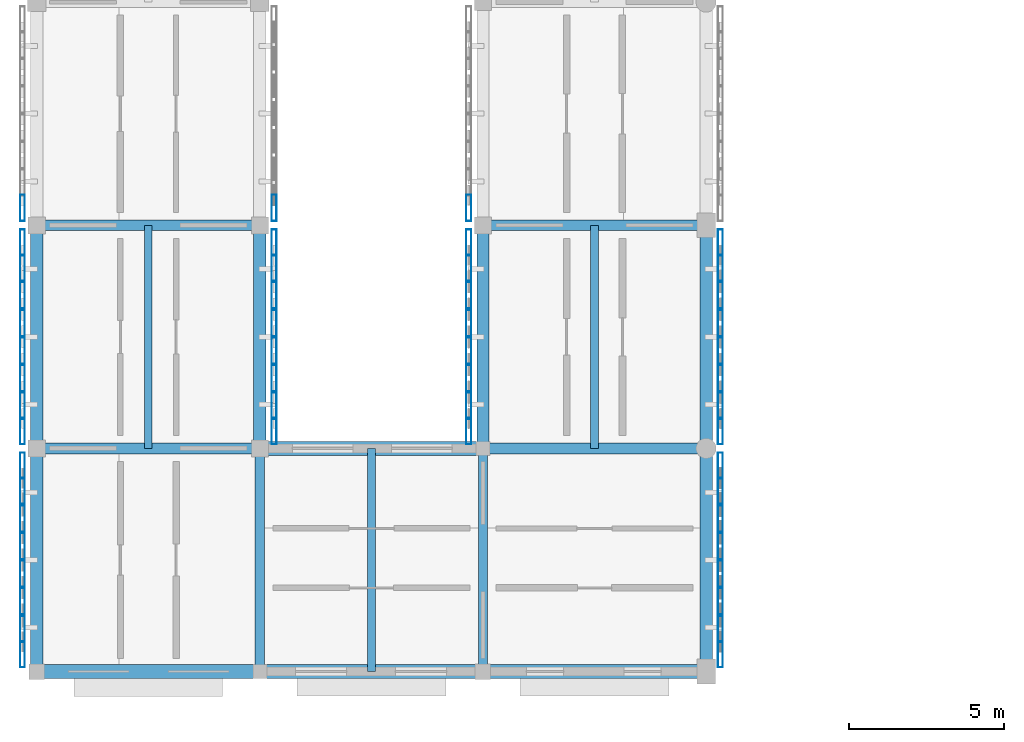
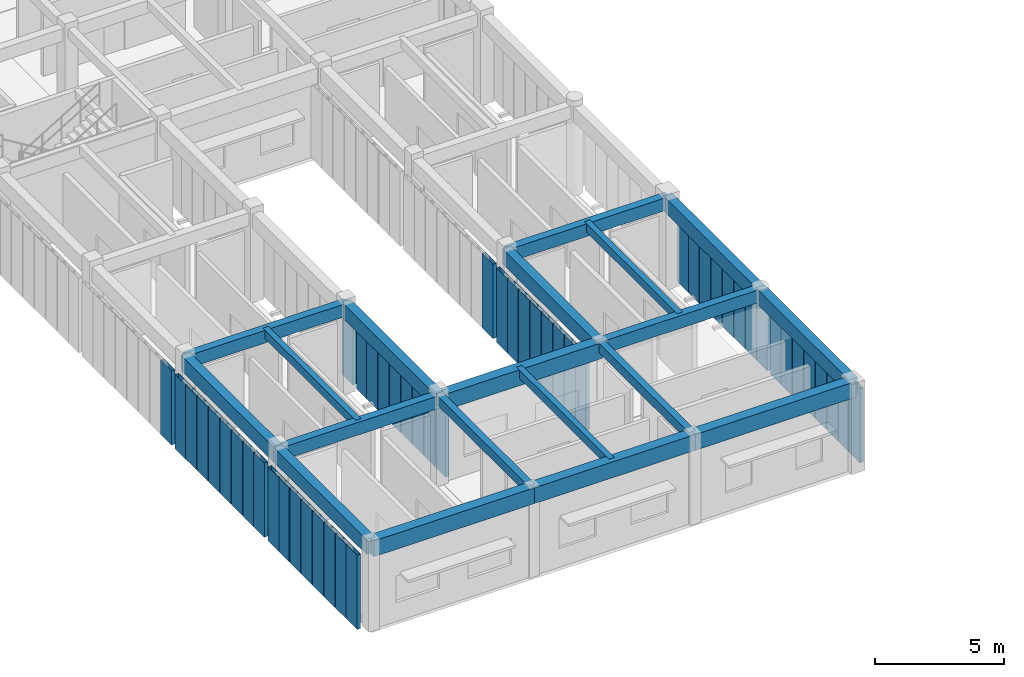
# One storey, part 7 of 171: 51 members, 19 beams, 9 elements without a shape of their own.
"""IFC4 building model written with IfcOpenShell, lengths in metres."""

from ifc_helpers import new_model, si_unit, direction, frame, origin, origin_2d, place, context, subcontext, project, spatial, rectangle, hollow_rectangle, extrude, material, material_profile, profile_set, type_object, element, aggregate, save


model = new_model("IFC4")

# Units and contexts
model_context = context("Model", 3, precision=1e-05, world=origin(), true_north=direction((0.0, 1.0)))
body_context = subcontext(model_context, "Body", "Model", "MODEL_VIEW")
ifc_project = project(units=[si_unit("LENGTHUNIT", "METRE"), si_unit("AREAUNIT", "SQUARE_METRE"), si_unit("VOLUMEUNIT", "CUBIC_METRE"), si_unit("PLANEANGLEUNIT", "RADIAN"), si_unit("MASSUNIT", "GRAM", prefix="KILO")], contexts=[model_context])

# Site, building, storey
site_placement = place(None, origin())
site = spatial("IfcSite", under=ifc_project, at=site_placement, CompositionType="ELEMENT")
building_placement = place(site_placement, origin())
building = spatial("IfcBuilding", under=site, at=building_placement, Name="Aldebral Square Health Centre", CompositionType="ELEMENT")
storey_placement = place(building_placement, frame((0.0, 0.0, 4.5)))
storey = spatial("IfcBuildingStorey", under=building, at=storey_placement, Name="L01", CompositionType="ELEMENT", Elevation=4.5)

# Beams
ifc_material_1 = material(Name="Concrete C40/50", Category="concrete")
ifc_material_profile_1 = material_profile(ifc_material_1, rectangle(XDim=0.35009765625, YDim=0.60009765625, at=origin_2d()), Name="RC 350x600")
ifc_profile_set_1 = profile_set([ifc_material_profile_1], Name="Concrete C40/50")
beam_type_1 = type_object("IfcBeamType", Name="BM-B2", PredefinedType="BEAM", material=ifc_profile_set_1)
for number, where, z_axis, x_axis, name in (
    (1, (0.0, 7.199951171875, 3.919921875), (1.0, 0.0, 0.0), (0.0, 1.0, 0.0), "L01 X-beam 1-2/G2"),
    (2, (0.0, 14.39990234375, 3.919921875), (1.0, 0.0, 0.0), (0.0, 1.0, 0.0), "L01 X-beam 1-2/G3"),
):
    element("IfcBeam", number, at=place(storey_placement, frame(where, z_axis=z_axis, x_axis=x_axis)), inside=storey, type_object=beam_type_1, Name=name, PredefinedType="BEAM", context=body_context, shape_type="SweptSolid", body=[
        extrude(rectangle(XDim=0.35009765625, YDim=0.60009765625, at=origin_2d()), origin(), (0.0, 0.0, 1.0), 7.199951171875),
    ])
for number, where, z_axis, x_axis, name in (
    (3, (14.39990234375, 7.199951171875, 3.919921875), (1.0, 0.0, 0.0), (0.0, 1.0, 0.0), "L01 X-beam 3-4/G2"),
    (4, (14.39990234375, 14.39990234375, 3.919921875), (1.0, 0.0, 0.0), (0.0, 1.0, 0.0), "L01 X-beam 3-4/G3"),
):
    element("IfcBeam", number, at=place(storey_placement, frame(where, z_axis=z_axis, x_axis=x_axis)), inside=storey, type_object=beam_type_1, Name=name, PredefinedType="BEAM", context=body_context, shape_type="SweptSolid", body=[
        extrude(rectangle(XDim=0.35009765625, YDim=0.60009765625, at=origin_2d()), origin(), (0.0, 0.0, 1.0), 7.2001953125),
    ])
ifc_material_profile_2 = material_profile(ifc_material_1, rectangle(XDim=0.300048828125, YDim=0.449951171875, at=origin_2d()), Name="RC 300x450")
ifc_profile_set_2 = profile_set([ifc_material_profile_2], Name="Concrete C40/50")
beam_type_2 = type_object("IfcBeamType", Name="BM-B5", PredefinedType="BEAM", material=ifc_profile_set_2)
for number, where, z_axis, x_axis, name in (
    (5, (7.199951171875, 0.0, 3.9951171875), (0.0, 1.0, 0.0), (-1.0, 0.0, 0.0), "L01 Y-beam G2/1-2"),
    (6, (14.39990234375, 0.0, 3.9951171875), (0.0, 1.0, 0.0), (-1.0, 0.0, 0.0), "L01 Y-beam G3/1-2"),
):
    element("IfcBeam", number, at=place(storey_placement, frame(where, z_axis=z_axis, x_axis=x_axis)), inside=storey, type_object=beam_type_2, Name=name, PredefinedType="BEAM", context=body_context, shape_type="SweptSolid", body=[
        extrude(rectangle(XDim=0.300048828125, YDim=0.449951171875, at=origin_2d()), origin(), (0.0, 0.0, 1.0), 7.199951171875),
    ])
ifc_material_profile_3 = material_profile(ifc_material_1, rectangle(XDim=0.25, YDim=0.39990234375, at=origin_2d()), Name="RC 250x400")
ifc_profile_set_3 = profile_set([ifc_material_profile_3], Name="Concrete C40/50")
beam_type_3 = type_object("IfcBeamType", Name="BM-B6", PredefinedType="JOIST", material=ifc_profile_set_3)
for number, where, z_axis, x_axis, name in (
    (7, (3.60009765625, 7.199951171875, 4.02001953125), (0.0, 1.0, 0.0), (-1.0, 0.0, 0.0), "L01 secondary rib 1.2"),
    (8, (10.800048828125, 0.0, 4.02001953125), (0.0, 1.0, 0.0), (-1.0, 0.0, 0.0), "L01 secondary rib 2.1"),
    (9, (18.0, 7.199951171875, 4.02001953125), (0.0, 1.0, 0.0), (-1.0, 0.0, 0.0), "L01 secondary rib 3.2"),
):
    element("IfcBeam", number, at=place(storey_placement, frame(where, z_axis=z_axis, x_axis=x_axis)), inside=storey, type_object=beam_type_3, Name=name, PredefinedType="JOIST", context=body_context, shape_type="SweptSolid", body=[
        extrude(rectangle(XDim=0.25, YDim=0.39990234375, at=origin_2d()), origin(), (0.0, 0.0, 1.0), 7.199951171875),
    ])
ifc_material_profile_4 = material_profile(ifc_material_1, rectangle(XDim=0.449951171875, YDim=0.75, at=origin_2d()), Name="RC 450x750")
ifc_profile_set_4 = profile_set([ifc_material_profile_4], Name="Concrete C40/50")
beam_type_4 = type_object("IfcBeamType", Name="BM-G2", PredefinedType="T_BEAM", material=ifc_profile_set_4)
for number, where, z_axis, x_axis, name in (
    (10, (0.0, 0.0, 3.844970703125), (1.0, 0.0, 0.0), (0.0, 1.0, 0.0), "L01 X-beam 1-2/G1"),
    (11, (7.199951171875, 0.0, 3.844970703125), (1.0, 0.0, 0.0), (0.0, 1.0, 0.0), "L01 X-beam 2-3/G1"),
    (12, (7.199951171875, 7.199951171875, 3.844970703125), (1.0, 0.0, 0.0), (0.0, 1.0, 0.0), "L01 X-beam 2-3/G2"),
):
    element("IfcBeam", number, at=place(storey_placement, frame(where, z_axis=z_axis, x_axis=x_axis)), inside=storey, type_object=beam_type_4, Name=name, PredefinedType="T_BEAM", context=body_context, shape_type="SweptSolid", body=[
        extrude(rectangle(XDim=0.449951171875, YDim=0.75, at=origin_2d()), origin(), (0.0, 0.0, 1.0), 7.199951171875),
    ])
beam_placement = place(storey_placement, frame((14.39990234375, 0.0, 3.844970703125), z_axis=(1.0, 0.0, 0.0), x_axis=(0.0, 1.0, 0.0)))
element("IfcBeam", 13, at=beam_placement, inside=storey, type_object=beam_type_4, Name="L01 X-beam 3-4/G1", PredefinedType="T_BEAM", context=body_context, shape_type="SweptSolid", body=[
    extrude(rectangle(XDim=0.449951171875, YDim=0.75, at=origin_2d()), origin(), (0.0, 0.0, 1.0), 7.2001953125),
])
ifc_material_profile_5 = material_profile(ifc_material_1, rectangle(XDim=0.39990234375, YDim=0.699951171875, at=origin_2d()), Name="RC 400x700")
ifc_profile_set_5 = profile_set([ifc_material_profile_5], Name="Concrete C40/50")
beam_type_5 = type_object("IfcBeamType", Name="BM-G3", PredefinedType="T_BEAM", material=ifc_profile_set_5)
for number, where, z_axis, x_axis, name in (
    (14, (0.0, 0.0, 3.8701171875), (0.0, 1.0, 0.0), (-1.0, 0.0, 0.0), "L01 Y-beam G1/1-2"),
    (15, (0.0, 7.199951171875, 3.8701171875), (0.0, 1.0, 0.0), (-1.0, 0.0, 0.0), "L01 Y-beam G1/2-3"),
    (16, (7.199951171875, 7.199951171875, 3.8701171875), (0.0, 1.0, 0.0), (-1.0, 0.0, 0.0), "L01 Y-beam G2/2-3"),
    (17, (14.39990234375, 7.199951171875, 3.8701171875), (0.0, 1.0, 0.0), (-1.0, 0.0, 0.0), "L01 Y-beam G3/2-3"),
    (18, (21.60009765625, 0.0, 3.8701171875), (0.0, 1.0, 0.0), (-1.0, 0.0, 0.0), "L01 Y-beam G4/1-2"),
    (19, (21.60009765625, 7.199951171875, 3.8701171875), (0.0, 1.0, 0.0), (-1.0, 0.0, 0.0), "L01 Y-beam G4/2-3"),
):
    element("IfcBeam", number, at=place(storey_placement, frame(where, z_axis=z_axis, x_axis=x_axis)), inside=storey, type_object=beam_type_5, Name=name, PredefinedType="T_BEAM", context=body_context, shape_type="SweptSolid", body=[
        extrude(rectangle(XDim=0.39990234375, YDim=0.699951171875, at=origin_2d()), origin(), (0.0, 0.0, 1.0), 7.199951171875),
    ])

# Curtain wall, members
ifc_material_2 = material(Name="Aluminium and low-E solar glass", Category="aluminium")
curtain_wall_type = type_object("IfcCurtainWallType", Name="CW-FIN-SYS", PredefinedType="USERDEFINED", material=ifc_material_2)
curtain_wall_1_placement = place(storey_placement, origin())
curtain_wall_1 = element("IfcCurtainWall", 20, at=curtain_wall_1_placement, inside=storey, type_object=curtain_wall_type, Name="L01 V6 finned curtain wall L01-V6-00-00-W", ObjectType="SOLAR_CURTAIN_WALL", PredefinedType="USERDEFINED")
ifc_material_3 = material(Name="Sienna-terracotta clad aluminium fin", Category="masonry")
ifc_material_profile_6 = material_profile(ifc_material_3, hollow_rectangle(XDim=0.159912109375, YDim=0.85009765625, WallThickness=0.006103515625, at=origin_2d()), Name="FIN 160x850x6")
ifc_profile_set_6 = profile_set([ifc_material_profile_6], Name="Sienna-terracotta clad aluminium fin")
member_type = type_object("IfcMemberType", Name="CWM-FIN", PredefinedType="MULLION", material=ifc_profile_set_6)
member_1_placement = place(storey_placement, frame((-0.4599609375, 6.639892578125, 0.0), z_axis=(0.0, 0.0, 1.0), x_axis=(1.0, 0.0, 0.0)))
member_1 = element("IfcMember", 21, at=member_1_placement, type_object=member_type, Name="CW1 mullion 1", PredefinedType="MULLION", context=body_context, shape_type="SweptSolid", body=[
    extrude(hollow_rectangle(XDim=0.159912109375, YDim=0.85009765625, WallThickness=0.006103515625, at=origin_2d()), origin(), (0.0, 0.0, 1.0), 3.52001953125),
])
member_2_placement = place(storey_placement, frame((-0.4599609375, 5.82861328125, 0.0), z_axis=(0.0, 0.0, 1.0), x_axis=(1.0, 0.0, 0.0)))
member_2 = element("IfcMember", 22, at=member_2_placement, type_object=member_type, Name="CW1 mullion 2", PredefinedType="MULLION", context=body_context, shape_type="SweptSolid", body=[
    extrude(hollow_rectangle(XDim=0.159912109375, YDim=0.85009765625, WallThickness=0.006103515625, at=origin_2d()), origin(), (0.0, 0.0, 1.0), 3.52001953125),
])
member_3_placement = place(storey_placement, frame((-0.4599609375, 4.937255859375, 0.0), z_axis=(0.0, 0.0, 1.0), x_axis=(1.0, 0.0, 0.0)))
member_3 = element("IfcMember", 23, at=member_3_placement, type_object=member_type, Name="CW1 mullion 3", PredefinedType="MULLION", context=body_context, shape_type="SweptSolid", body=[
    extrude(hollow_rectangle(XDim=0.159912109375, YDim=0.85009765625, WallThickness=0.006103515625, at=origin_2d()), origin(), (0.0, 0.0, 1.0), 3.52001953125),
])
member_4_placement = place(storey_placement, frame((-0.4599609375, 4.045654296875, 0.0), z_axis=(0.0, 0.0, 1.0), x_axis=(1.0, 0.0, 0.0)))
member_4 = element("IfcMember", 24, at=member_4_placement, type_object=member_type, Name="CW1 mullion 4", PredefinedType="MULLION", context=body_context, shape_type="SweptSolid", body=[
    extrude(hollow_rectangle(XDim=0.159912109375, YDim=0.85009765625, WallThickness=0.006103515625, at=origin_2d()), origin(), (0.0, 0.0, 1.0), 3.52001953125),
])
member_5_placement = place(storey_placement, frame((-0.4599609375, 3.154296875, 0.0), z_axis=(0.0, 0.0, 1.0), x_axis=(1.0, 0.0, 0.0)))
member_5 = element("IfcMember", 25, at=member_5_placement, type_object=member_type, Name="CW1 mullion 5", PredefinedType="MULLION", context=body_context, shape_type="SweptSolid", body=[
    extrude(hollow_rectangle(XDim=0.159912109375, YDim=0.85009765625, WallThickness=0.006103515625, at=origin_2d()), origin(), (0.0, 0.0, 1.0), 3.52001953125),
])
member_6_placement = place(storey_placement, frame((-0.4599609375, 2.262939453125, 0.0), z_axis=(0.0, 0.0, 1.0), x_axis=(1.0, 0.0, 0.0)))
member_6 = element("IfcMember", 26, at=member_6_placement, type_object=member_type, Name="CW1 mullion 6", PredefinedType="MULLION", context=body_context, shape_type="SweptSolid", body=[
    extrude(hollow_rectangle(XDim=0.159912109375, YDim=0.85009765625, WallThickness=0.006103515625, at=origin_2d()), origin(), (0.0, 0.0, 1.0), 3.52001953125),
])
member_7_placement = place(storey_placement, frame((-0.4599609375, 1.371337890625, 0.0), z_axis=(0.0, 0.0, 1.0), x_axis=(1.0, 0.0, 0.0)))
member_7 = element("IfcMember", 27, at=member_7_placement, type_object=member_type, Name="CW1 mullion 7", PredefinedType="MULLION", context=body_context, shape_type="SweptSolid", body=[
    extrude(hollow_rectangle(XDim=0.159912109375, YDim=0.85009765625, WallThickness=0.006103515625, at=origin_2d()), origin(), (0.0, 0.0, 1.0), 3.52001953125),
])
member_8_placement = place(storey_placement, frame((-0.4599609375, 0.56005859375, 0.0), z_axis=(0.0, 0.0, 1.0), x_axis=(1.0, 0.0, 0.0)))
member_8 = element("IfcMember", 28, at=member_8_placement, type_object=member_type, Name="CW1 mullion 8", PredefinedType="MULLION", context=body_context, shape_type="SweptSolid", body=[
    extrude(hollow_rectangle(XDim=0.159912109375, YDim=0.85009765625, WallThickness=0.006103515625, at=origin_2d()), origin(), (0.0, 0.0, 1.0), 3.52001953125),
])
aggregate(curtain_wall_1, [member_1, member_2, member_3, member_4, member_5, member_6, member_7, member_8])

curtain_wall_2_placement = place(storey_placement, origin())
curtain_wall_2 = element("IfcCurtainWall", 29, at=curtain_wall_2_placement, inside=storey, type_object=curtain_wall_type, Name="L01 V6 finned curtain wall L01-V6-00-01-W", ObjectType="SOLAR_CURTAIN_WALL", PredefinedType="USERDEFINED")
member_9_placement = place(storey_placement, frame((-0.4599609375, 13.840087890625, 0.0), z_axis=(0.0, 0.0, 1.0), x_axis=(1.0, 0.0, 0.0)))
member_9 = element("IfcMember", 30, at=member_9_placement, type_object=member_type, Name="CW1 mullion 1", PredefinedType="MULLION", context=body_context, shape_type="SweptSolid", body=[
    extrude(hollow_rectangle(XDim=0.159912109375, YDim=0.85009765625, WallThickness=0.006103515625, at=origin_2d()), origin(), (0.0, 0.0, 1.0), 3.52001953125),
])
member_10_placement = place(storey_placement, frame((-0.4599609375, 13.028564453125, 0.0), z_axis=(0.0, 0.0, 1.0), x_axis=(1.0, 0.0, 0.0)))
member_10 = element("IfcMember", 31, at=member_10_placement, type_object=member_type, Name="CW1 mullion 2", PredefinedType="MULLION", context=body_context, shape_type="SweptSolid", body=[
    extrude(hollow_rectangle(XDim=0.159912109375, YDim=0.85009765625, WallThickness=0.006103515625, at=origin_2d()), origin(), (0.0, 0.0, 1.0), 3.52001953125),
])
member_11_placement = place(storey_placement, frame((-0.4599609375, 12.13720703125, 0.0), z_axis=(0.0, 0.0, 1.0), x_axis=(1.0, 0.0, 0.0)))
member_11 = element("IfcMember", 32, at=member_11_placement, type_object=member_type, Name="CW1 mullion 3", PredefinedType="MULLION", context=body_context, shape_type="SweptSolid", body=[
    extrude(hollow_rectangle(XDim=0.159912109375, YDim=0.85009765625, WallThickness=0.006103515625, at=origin_2d()), origin(), (0.0, 0.0, 1.0), 3.52001953125),
])
member_12_placement = place(storey_placement, frame((-0.4599609375, 11.24560546875, 0.0), z_axis=(0.0, 0.0, 1.0), x_axis=(1.0, 0.0, 0.0)))
member_12 = element("IfcMember", 33, at=member_12_placement, type_object=member_type, Name="CW1 mullion 4", PredefinedType="MULLION", context=body_context, shape_type="SweptSolid", body=[
    extrude(hollow_rectangle(XDim=0.159912109375, YDim=0.85009765625, WallThickness=0.006103515625, at=origin_2d()), origin(), (0.0, 0.0, 1.0), 3.52001953125),
])
member_13_placement = place(storey_placement, frame((-0.4599609375, 10.354248046875, 0.0), z_axis=(0.0, 0.0, 1.0), x_axis=(1.0, 0.0, 0.0)))
member_13 = element("IfcMember", 34, at=member_13_placement, type_object=member_type, Name="CW1 mullion 5", PredefinedType="MULLION", context=body_context, shape_type="SweptSolid", body=[
    extrude(hollow_rectangle(XDim=0.159912109375, YDim=0.85009765625, WallThickness=0.006103515625, at=origin_2d()), origin(), (0.0, 0.0, 1.0), 3.52001953125),
])
member_14_placement = place(storey_placement, frame((-0.4599609375, 9.462890625, 0.0), z_axis=(0.0, 0.0, 1.0), x_axis=(1.0, 0.0, 0.0)))
member_14 = element("IfcMember", 35, at=member_14_placement, type_object=member_type, Name="CW1 mullion 6", PredefinedType="MULLION", context=body_context, shape_type="SweptSolid", body=[
    extrude(hollow_rectangle(XDim=0.159912109375, YDim=0.85009765625, WallThickness=0.006103515625, at=origin_2d()), origin(), (0.0, 0.0, 1.0), 3.52001953125),
])
member_15_placement = place(storey_placement, frame((-0.4599609375, 8.571533203125, 0.0), z_axis=(0.0, 0.0, 1.0), x_axis=(1.0, 0.0, 0.0)))
member_15 = element("IfcMember", 36, at=member_15_placement, type_object=member_type, Name="CW1 mullion 7", PredefinedType="MULLION", context=body_context, shape_type="SweptSolid", body=[
    extrude(hollow_rectangle(XDim=0.159912109375, YDim=0.85009765625, WallThickness=0.006103515625, at=origin_2d()), origin(), (0.0, 0.0, 1.0), 3.52001953125),
])
member_16_placement = place(storey_placement, frame((-0.4599609375, 7.760009765625, 0.0), z_axis=(0.0, 0.0, 1.0), x_axis=(1.0, 0.0, 0.0)))
member_16 = element("IfcMember", 37, at=member_16_placement, type_object=member_type, Name="CW1 mullion 8", PredefinedType="MULLION", context=body_context, shape_type="SweptSolid", body=[
    extrude(hollow_rectangle(XDim=0.159912109375, YDim=0.85009765625, WallThickness=0.006103515625, at=origin_2d()), origin(), (0.0, 0.0, 1.0), 3.52001953125),
])
aggregate(curtain_wall_2, [member_9, member_10, member_11, member_12, member_13, member_14, member_15, member_16])

curtain_wall_3_placement = place(storey_placement, origin())
curtain_wall_3 = element("IfcCurtainWall", 38, at=curtain_wall_3_placement, inside=storey, type_object=curtain_wall_type, Name="L01 V6 finned curtain wall L01-V6-00-01-E", ObjectType="SOLAR_CURTAIN_WALL", PredefinedType="USERDEFINED")
member_17_placement = place(storey_placement, frame((7.659912109375, 7.760009765625, 0.0), z_axis=(0.0, 0.0, 1.0), x_axis=(-1.0, 0.0, 0.0)))
member_17 = element("IfcMember", 39, at=member_17_placement, type_object=member_type, Name="CW1 mullion 1", PredefinedType="MULLION", context=body_context, shape_type="SweptSolid", body=[
    extrude(hollow_rectangle(XDim=0.159912109375, YDim=0.85009765625, WallThickness=0.006103515625, at=origin_2d()), origin(), (0.0, 0.0, 1.0), 3.52001953125),
])
member_18_placement = place(storey_placement, frame((7.659912109375, 8.571533203125, 0.0), z_axis=(0.0, 0.0, 1.0), x_axis=(-1.0, 0.0, 0.0)))
member_18 = element("IfcMember", 40, at=member_18_placement, type_object=member_type, Name="CW1 mullion 2", PredefinedType="MULLION", context=body_context, shape_type="SweptSolid", body=[
    extrude(hollow_rectangle(XDim=0.159912109375, YDim=0.85009765625, WallThickness=0.006103515625, at=origin_2d()), origin(), (0.0, 0.0, 1.0), 3.52001953125),
])
member_19_placement = place(storey_placement, frame((7.659912109375, 9.462890625, 0.0), z_axis=(0.0, 0.0, 1.0), x_axis=(-1.0, 0.0, 0.0)))
member_19 = element("IfcMember", 41, at=member_19_placement, type_object=member_type, Name="CW1 mullion 3", PredefinedType="MULLION", context=body_context, shape_type="SweptSolid", body=[
    extrude(hollow_rectangle(XDim=0.159912109375, YDim=0.85009765625, WallThickness=0.006103515625, at=origin_2d()), origin(), (0.0, 0.0, 1.0), 3.52001953125),
])
member_20_placement = place(storey_placement, frame((7.659912109375, 10.354248046875, 0.0), z_axis=(0.0, 0.0, 1.0), x_axis=(-1.0, 0.0, 0.0)))
member_20 = element("IfcMember", 42, at=member_20_placement, type_object=member_type, Name="CW1 mullion 4", PredefinedType="MULLION", context=body_context, shape_type="SweptSolid", body=[
    extrude(hollow_rectangle(XDim=0.159912109375, YDim=0.85009765625, WallThickness=0.006103515625, at=origin_2d()), origin(), (0.0, 0.0, 1.0), 3.52001953125),
])
member_21_placement = place(storey_placement, frame((7.659912109375, 11.24560546875, 0.0), z_axis=(0.0, 0.0, 1.0), x_axis=(-1.0, 0.0, 0.0)))
member_21 = element("IfcMember", 43, at=member_21_placement, type_object=member_type, Name="CW1 mullion 5", PredefinedType="MULLION", context=body_context, shape_type="SweptSolid", body=[
    extrude(hollow_rectangle(XDim=0.159912109375, YDim=0.85009765625, WallThickness=0.006103515625, at=origin_2d()), origin(), (0.0, 0.0, 1.0), 3.52001953125),
])
member_22_placement = place(storey_placement, frame((7.659912109375, 12.13720703125, 0.0), z_axis=(0.0, 0.0, 1.0), x_axis=(-1.0, 0.0, 0.0)))
member_22 = element("IfcMember", 44, at=member_22_placement, type_object=member_type, Name="CW1 mullion 6", PredefinedType="MULLION", context=body_context, shape_type="SweptSolid", body=[
    extrude(hollow_rectangle(XDim=0.159912109375, YDim=0.85009765625, WallThickness=0.006103515625, at=origin_2d()), origin(), (0.0, 0.0, 1.0), 3.52001953125),
])
member_23_placement = place(storey_placement, frame((7.659912109375, 13.028564453125, 0.0), z_axis=(0.0, 0.0, 1.0), x_axis=(-1.0, 0.0, 0.0)))
member_23 = element("IfcMember", 45, at=member_23_placement, type_object=member_type, Name="CW1 mullion 7", PredefinedType="MULLION", context=body_context, shape_type="SweptSolid", body=[
    extrude(hollow_rectangle(XDim=0.159912109375, YDim=0.85009765625, WallThickness=0.006103515625, at=origin_2d()), origin(), (0.0, 0.0, 1.0), 3.52001953125),
])
member_24_placement = place(storey_placement, frame((7.659912109375, 13.840087890625, 0.0), z_axis=(0.0, 0.0, 1.0), x_axis=(-1.0, 0.0, 0.0)))
member_24 = element("IfcMember", 46, at=member_24_placement, type_object=member_type, Name="CW1 mullion 8", PredefinedType="MULLION", context=body_context, shape_type="SweptSolid", body=[
    extrude(hollow_rectangle(XDim=0.159912109375, YDim=0.85009765625, WallThickness=0.006103515625, at=origin_2d()), origin(), (0.0, 0.0, 1.0), 3.52001953125),
])
aggregate(curtain_wall_3, [member_17, member_18, member_19, member_20, member_21, member_22, member_23, member_24])

# Curtain wall, member
curtain_wall_4_placement = place(storey_placement, origin())
curtain_wall_4 = element("IfcCurtainWall", 47, at=curtain_wall_4_placement, inside=storey, type_object=curtain_wall_type, Name="L01 V6 finned curtain wall L01-V6-00-02-W", ObjectType="SOLAR_CURTAIN_WALL", PredefinedType="USERDEFINED")
member_25_placement = place(storey_placement, frame((-0.4599609375, 14.9599609375, 0.0), z_axis=(0.0, 0.0, 1.0), x_axis=(1.0, 0.0, 0.0)))
member_25 = element("IfcMember", 48, at=member_25_placement, type_object=member_type, Name="CW1 mullion 8", PredefinedType="MULLION", context=body_context, shape_type="SweptSolid", body=[
    extrude(hollow_rectangle(XDim=0.159912109375, YDim=0.85009765625, WallThickness=0.006103515625, at=origin_2d()), origin(), (0.0, 0.0, 1.0), 3.52001953125),
])
aggregate(curtain_wall_4, [member_25])

curtain_wall_5_placement = place(storey_placement, origin())
curtain_wall_5 = element("IfcCurtainWall", 49, at=curtain_wall_5_placement, inside=storey, type_object=curtain_wall_type, Name="L01 V6 finned curtain wall L01-V6-00-02-E", ObjectType="SOLAR_CURTAIN_WALL", PredefinedType="USERDEFINED")
member_26_placement = place(storey_placement, frame((7.659912109375, 14.9599609375, 0.0), z_axis=(0.0, 0.0, 1.0), x_axis=(-1.0, 0.0, 0.0)))
member_26 = element("IfcMember", 50, at=member_26_placement, type_object=member_type, Name="CW1 mullion 1", PredefinedType="MULLION", context=body_context, shape_type="SweptSolid", body=[
    extrude(hollow_rectangle(XDim=0.159912109375, YDim=0.85009765625, WallThickness=0.006103515625, at=origin_2d()), origin(), (0.0, 0.0, 1.0), 3.52001953125),
])
aggregate(curtain_wall_5, [member_26])

# Curtain wall, members
curtain_wall_6_placement = place(storey_placement, origin())
curtain_wall_6 = element("IfcCurtainWall", 51, at=curtain_wall_6_placement, inside=storey, type_object=curtain_wall_type, Name="L01 V6 finned curtain wall L01-V6-02-00-E", ObjectType="SOLAR_CURTAIN_WALL", PredefinedType="USERDEFINED")
member_27_placement = place(storey_placement, frame((22.06005859375, 0.56005859375, 0.0), z_axis=(0.0, 0.0, 1.0), x_axis=(-1.0, 0.0, 0.0)))
member_27 = element("IfcMember", 52, at=member_27_placement, type_object=member_type, Name="CW1 mullion 1", PredefinedType="MULLION", context=body_context, shape_type="SweptSolid", body=[
    extrude(hollow_rectangle(XDim=0.159912109375, YDim=0.85009765625, WallThickness=0.006103515625, at=origin_2d()), origin(), (0.0, 0.0, 1.0), 3.52001953125),
])
member_28_placement = place(storey_placement, frame((22.06005859375, 1.371337890625, 0.0), z_axis=(0.0, 0.0, 1.0), x_axis=(-1.0, 0.0, 0.0)))
member_28 = element("IfcMember", 53, at=member_28_placement, type_object=member_type, Name="CW1 mullion 2", PredefinedType="MULLION", context=body_context, shape_type="SweptSolid", body=[
    extrude(hollow_rectangle(XDim=0.159912109375, YDim=0.85009765625, WallThickness=0.006103515625, at=origin_2d()), origin(), (0.0, 0.0, 1.0), 3.52001953125),
])
member_29_placement = place(storey_placement, frame((22.06005859375, 2.262939453125, 0.0), z_axis=(0.0, 0.0, 1.0), x_axis=(-1.0, 0.0, 0.0)))
member_29 = element("IfcMember", 54, at=member_29_placement, type_object=member_type, Name="CW1 mullion 3", PredefinedType="MULLION", context=body_context, shape_type="SweptSolid", body=[
    extrude(hollow_rectangle(XDim=0.159912109375, YDim=0.85009765625, WallThickness=0.006103515625, at=origin_2d()), origin(), (0.0, 0.0, 1.0), 3.52001953125),
])
member_30_placement = place(storey_placement, frame((22.06005859375, 3.154296875, 0.0), z_axis=(0.0, 0.0, 1.0), x_axis=(-1.0, 0.0, 0.0)))
member_30 = element("IfcMember", 55, at=member_30_placement, type_object=member_type, Name="CW1 mullion 4", PredefinedType="MULLION", context=body_context, shape_type="SweptSolid", body=[
    extrude(hollow_rectangle(XDim=0.159912109375, YDim=0.85009765625, WallThickness=0.006103515625, at=origin_2d()), origin(), (0.0, 0.0, 1.0), 3.52001953125),
])
member_31_placement = place(storey_placement, frame((22.06005859375, 4.045654296875, 0.0), z_axis=(0.0, 0.0, 1.0), x_axis=(-1.0, 0.0, 0.0)))
member_31 = element("IfcMember", 56, at=member_31_placement, type_object=member_type, Name="CW1 mullion 5", PredefinedType="MULLION", context=body_context, shape_type="SweptSolid", body=[
    extrude(hollow_rectangle(XDim=0.159912109375, YDim=0.85009765625, WallThickness=0.006103515625, at=origin_2d()), origin(), (0.0, 0.0, 1.0), 3.52001953125),
])
member_32_placement = place(storey_placement, frame((22.06005859375, 4.937255859375, 0.0), z_axis=(0.0, 0.0, 1.0), x_axis=(-1.0, 0.0, 0.0)))
member_32 = element("IfcMember", 57, at=member_32_placement, type_object=member_type, Name="CW1 mullion 6", PredefinedType="MULLION", context=body_context, shape_type="SweptSolid", body=[
    extrude(hollow_rectangle(XDim=0.159912109375, YDim=0.85009765625, WallThickness=0.006103515625, at=origin_2d()), origin(), (0.0, 0.0, 1.0), 3.52001953125),
])
member_33_placement = place(storey_placement, frame((22.06005859375, 5.82861328125, 0.0), z_axis=(0.0, 0.0, 1.0), x_axis=(-1.0, 0.0, 0.0)))
member_33 = element("IfcMember", 58, at=member_33_placement, type_object=member_type, Name="CW1 mullion 7", PredefinedType="MULLION", context=body_context, shape_type="SweptSolid", body=[
    extrude(hollow_rectangle(XDim=0.159912109375, YDim=0.85009765625, WallThickness=0.006103515625, at=origin_2d()), origin(), (0.0, 0.0, 1.0), 3.52001953125),
])
member_34_placement = place(storey_placement, frame((22.06005859375, 6.639892578125, 0.0), z_axis=(0.0, 0.0, 1.0), x_axis=(-1.0, 0.0, 0.0)))
member_34 = element("IfcMember", 59, at=member_34_placement, type_object=member_type, Name="CW1 mullion 8", PredefinedType="MULLION", context=body_context, shape_type="SweptSolid", body=[
    extrude(hollow_rectangle(XDim=0.159912109375, YDim=0.85009765625, WallThickness=0.006103515625, at=origin_2d()), origin(), (0.0, 0.0, 1.0), 3.52001953125),
])
aggregate(curtain_wall_6, [member_27, member_28, member_29, member_30, member_31, member_32, member_33, member_34])

curtain_wall_7_placement = place(storey_placement, origin())
curtain_wall_7 = element("IfcCurtainWall", 60, at=curtain_wall_7_placement, inside=storey, type_object=curtain_wall_type, Name="L01 V6 finned curtain wall L01-V6-02-01-W", ObjectType="SOLAR_CURTAIN_WALL", PredefinedType="USERDEFINED")
member_35_placement = place(storey_placement, frame((13.93994140625, 13.840087890625, 0.0), z_axis=(0.0, 0.0, 1.0), x_axis=(1.0, 0.0, 0.0)))
member_35 = element("IfcMember", 61, at=member_35_placement, type_object=member_type, Name="CW1 mullion 1", PredefinedType="MULLION", context=body_context, shape_type="SweptSolid", body=[
    extrude(hollow_rectangle(XDim=0.159912109375, YDim=0.85009765625, WallThickness=0.006103515625, at=origin_2d()), origin(), (0.0, 0.0, 1.0), 3.52001953125),
])
member_36_placement = place(storey_placement, frame((13.93994140625, 13.028564453125, 0.0), z_axis=(0.0, 0.0, 1.0), x_axis=(1.0, 0.0, 0.0)))
member_36 = element("IfcMember", 62, at=member_36_placement, type_object=member_type, Name="CW1 mullion 2", PredefinedType="MULLION", context=body_context, shape_type="SweptSolid", body=[
    extrude(hollow_rectangle(XDim=0.159912109375, YDim=0.85009765625, WallThickness=0.006103515625, at=origin_2d()), origin(), (0.0, 0.0, 1.0), 3.52001953125),
])
member_37_placement = place(storey_placement, frame((13.93994140625, 12.13720703125, 0.0), z_axis=(0.0, 0.0, 1.0), x_axis=(1.0, 0.0, 0.0)))
member_37 = element("IfcMember", 63, at=member_37_placement, type_object=member_type, Name="CW1 mullion 3", PredefinedType="MULLION", context=body_context, shape_type="SweptSolid", body=[
    extrude(hollow_rectangle(XDim=0.159912109375, YDim=0.85009765625, WallThickness=0.006103515625, at=origin_2d()), origin(), (0.0, 0.0, 1.0), 3.52001953125),
])
member_38_placement = place(storey_placement, frame((13.93994140625, 11.24560546875, 0.0), z_axis=(0.0, 0.0, 1.0), x_axis=(1.0, 0.0, 0.0)))
member_38 = element("IfcMember", 64, at=member_38_placement, type_object=member_type, Name="CW1 mullion 4", PredefinedType="MULLION", context=body_context, shape_type="SweptSolid", body=[
    extrude(hollow_rectangle(XDim=0.159912109375, YDim=0.85009765625, WallThickness=0.006103515625, at=origin_2d()), origin(), (0.0, 0.0, 1.0), 3.52001953125),
])
member_39_placement = place(storey_placement, frame((13.93994140625, 10.354248046875, 0.0), z_axis=(0.0, 0.0, 1.0), x_axis=(1.0, 0.0, 0.0)))
member_39 = element("IfcMember", 65, at=member_39_placement, type_object=member_type, Name="CW1 mullion 5", PredefinedType="MULLION", context=body_context, shape_type="SweptSolid", body=[
    extrude(hollow_rectangle(XDim=0.159912109375, YDim=0.85009765625, WallThickness=0.006103515625, at=origin_2d()), origin(), (0.0, 0.0, 1.0), 3.52001953125),
])
member_40_placement = place(storey_placement, frame((13.93994140625, 9.462890625, 0.0), z_axis=(0.0, 0.0, 1.0), x_axis=(1.0, 0.0, 0.0)))
member_40 = element("IfcMember", 66, at=member_40_placement, type_object=member_type, Name="CW1 mullion 6", PredefinedType="MULLION", context=body_context, shape_type="SweptSolid", body=[
    extrude(hollow_rectangle(XDim=0.159912109375, YDim=0.85009765625, WallThickness=0.006103515625, at=origin_2d()), origin(), (0.0, 0.0, 1.0), 3.52001953125),
])
member_41_placement = place(storey_placement, frame((13.93994140625, 8.571533203125, 0.0), z_axis=(0.0, 0.0, 1.0), x_axis=(1.0, 0.0, 0.0)))
member_41 = element("IfcMember", 67, at=member_41_placement, type_object=member_type, Name="CW1 mullion 7", PredefinedType="MULLION", context=body_context, shape_type="SweptSolid", body=[
    extrude(hollow_rectangle(XDim=0.159912109375, YDim=0.85009765625, WallThickness=0.006103515625, at=origin_2d()), origin(), (0.0, 0.0, 1.0), 3.52001953125),
])
member_42_placement = place(storey_placement, frame((13.93994140625, 7.760009765625, 0.0), z_axis=(0.0, 0.0, 1.0), x_axis=(1.0, 0.0, 0.0)))
member_42 = element("IfcMember", 68, at=member_42_placement, type_object=member_type, Name="CW1 mullion 8", PredefinedType="MULLION", context=body_context, shape_type="SweptSolid", body=[
    extrude(hollow_rectangle(XDim=0.159912109375, YDim=0.85009765625, WallThickness=0.006103515625, at=origin_2d()), origin(), (0.0, 0.0, 1.0), 3.52001953125),
])
aggregate(curtain_wall_7, [member_35, member_36, member_37, member_38, member_39, member_40, member_41, member_42])

curtain_wall_8_placement = place(storey_placement, origin())
curtain_wall_8 = element("IfcCurtainWall", 69, at=curtain_wall_8_placement, inside=storey, type_object=curtain_wall_type, Name="L01 V6 finned curtain wall L01-V6-02-01-E", ObjectType="SOLAR_CURTAIN_WALL", PredefinedType="USERDEFINED")
member_43_placement = place(storey_placement, frame((22.06005859375, 7.760009765625, 0.0), z_axis=(0.0, 0.0, 1.0), x_axis=(-1.0, 0.0, 0.0)))
member_43 = element("IfcMember", 70, at=member_43_placement, type_object=member_type, Name="CW1 mullion 1", PredefinedType="MULLION", context=body_context, shape_type="SweptSolid", body=[
    extrude(hollow_rectangle(XDim=0.159912109375, YDim=0.85009765625, WallThickness=0.006103515625, at=origin_2d()), origin(), (0.0, 0.0, 1.0), 3.52001953125),
])
member_44_placement = place(storey_placement, frame((22.06005859375, 8.571533203125, 0.0), z_axis=(0.0, 0.0, 1.0), x_axis=(-1.0, 0.0, 0.0)))
member_44 = element("IfcMember", 71, at=member_44_placement, type_object=member_type, Name="CW1 mullion 2", PredefinedType="MULLION", context=body_context, shape_type="SweptSolid", body=[
    extrude(hollow_rectangle(XDim=0.159912109375, YDim=0.85009765625, WallThickness=0.006103515625, at=origin_2d()), origin(), (0.0, 0.0, 1.0), 3.52001953125),
])
member_45_placement = place(storey_placement, frame((22.06005859375, 9.462890625, 0.0), z_axis=(0.0, 0.0, 1.0), x_axis=(-1.0, 0.0, 0.0)))
member_45 = element("IfcMember", 72, at=member_45_placement, type_object=member_type, Name="CW1 mullion 3", PredefinedType="MULLION", context=body_context, shape_type="SweptSolid", body=[
    extrude(hollow_rectangle(XDim=0.159912109375, YDim=0.85009765625, WallThickness=0.006103515625, at=origin_2d()), origin(), (0.0, 0.0, 1.0), 3.52001953125),
])
member_46_placement = place(storey_placement, frame((22.06005859375, 10.354248046875, 0.0), z_axis=(0.0, 0.0, 1.0), x_axis=(-1.0, 0.0, 0.0)))
member_46 = element("IfcMember", 73, at=member_46_placement, type_object=member_type, Name="CW1 mullion 4", PredefinedType="MULLION", context=body_context, shape_type="SweptSolid", body=[
    extrude(hollow_rectangle(XDim=0.159912109375, YDim=0.85009765625, WallThickness=0.006103515625, at=origin_2d()), origin(), (0.0, 0.0, 1.0), 3.52001953125),
])
member_47_placement = place(storey_placement, frame((22.06005859375, 11.24560546875, 0.0), z_axis=(0.0, 0.0, 1.0), x_axis=(-1.0, 0.0, 0.0)))
member_47 = element("IfcMember", 74, at=member_47_placement, type_object=member_type, Name="CW1 mullion 5", PredefinedType="MULLION", context=body_context, shape_type="SweptSolid", body=[
    extrude(hollow_rectangle(XDim=0.159912109375, YDim=0.85009765625, WallThickness=0.006103515625, at=origin_2d()), origin(), (0.0, 0.0, 1.0), 3.52001953125),
])
member_48_placement = place(storey_placement, frame((22.06005859375, 12.13720703125, 0.0), z_axis=(0.0, 0.0, 1.0), x_axis=(-1.0, 0.0, 0.0)))
member_48 = element("IfcMember", 75, at=member_48_placement, type_object=member_type, Name="CW1 mullion 6", PredefinedType="MULLION", context=body_context, shape_type="SweptSolid", body=[
    extrude(hollow_rectangle(XDim=0.159912109375, YDim=0.85009765625, WallThickness=0.006103515625, at=origin_2d()), origin(), (0.0, 0.0, 1.0), 3.52001953125),
])
member_49_placement = place(storey_placement, frame((22.06005859375, 13.028564453125, 0.0), z_axis=(0.0, 0.0, 1.0), x_axis=(-1.0, 0.0, 0.0)))
member_49 = element("IfcMember", 76, at=member_49_placement, type_object=member_type, Name="CW1 mullion 7", PredefinedType="MULLION", context=body_context, shape_type="SweptSolid", body=[
    extrude(hollow_rectangle(XDim=0.159912109375, YDim=0.85009765625, WallThickness=0.006103515625, at=origin_2d()), origin(), (0.0, 0.0, 1.0), 3.52001953125),
])
member_50_placement = place(storey_placement, frame((22.06005859375, 13.840087890625, 0.0), z_axis=(0.0, 0.0, 1.0), x_axis=(-1.0, 0.0, 0.0)))
member_50 = element("IfcMember", 77, at=member_50_placement, type_object=member_type, Name="CW1 mullion 8", PredefinedType="MULLION", context=body_context, shape_type="SweptSolid", body=[
    extrude(hollow_rectangle(XDim=0.159912109375, YDim=0.85009765625, WallThickness=0.006103515625, at=origin_2d()), origin(), (0.0, 0.0, 1.0), 3.52001953125),
])
aggregate(curtain_wall_8, [member_43, member_44, member_45, member_46, member_47, member_48, member_49, member_50])

# Curtain wall, member
curtain_wall_9_placement = place(storey_placement, origin())
curtain_wall_9 = element("IfcCurtainWall", 78, at=curtain_wall_9_placement, inside=storey, type_object=curtain_wall_type, Name="L01 V6 finned curtain wall L01-V6-02-02-W", ObjectType="SOLAR_CURTAIN_WALL", PredefinedType="USERDEFINED")
member_51_placement = place(storey_placement, frame((13.93994140625, 14.9599609375, 0.0), z_axis=(0.0, 0.0, 1.0), x_axis=(1.0, 0.0, 0.0)))
member_51 = element("IfcMember", 79, at=member_51_placement, type_object=member_type, Name="CW1 mullion 8", PredefinedType="MULLION", context=body_context, shape_type="SweptSolid", body=[
    extrude(hollow_rectangle(XDim=0.159912109375, YDim=0.85009765625, WallThickness=0.006103515625, at=origin_2d()), origin(), (0.0, 0.0, 1.0), 3.52001953125),
])
aggregate(curtain_wall_9, [member_51])

save(model, "model.ifc")
